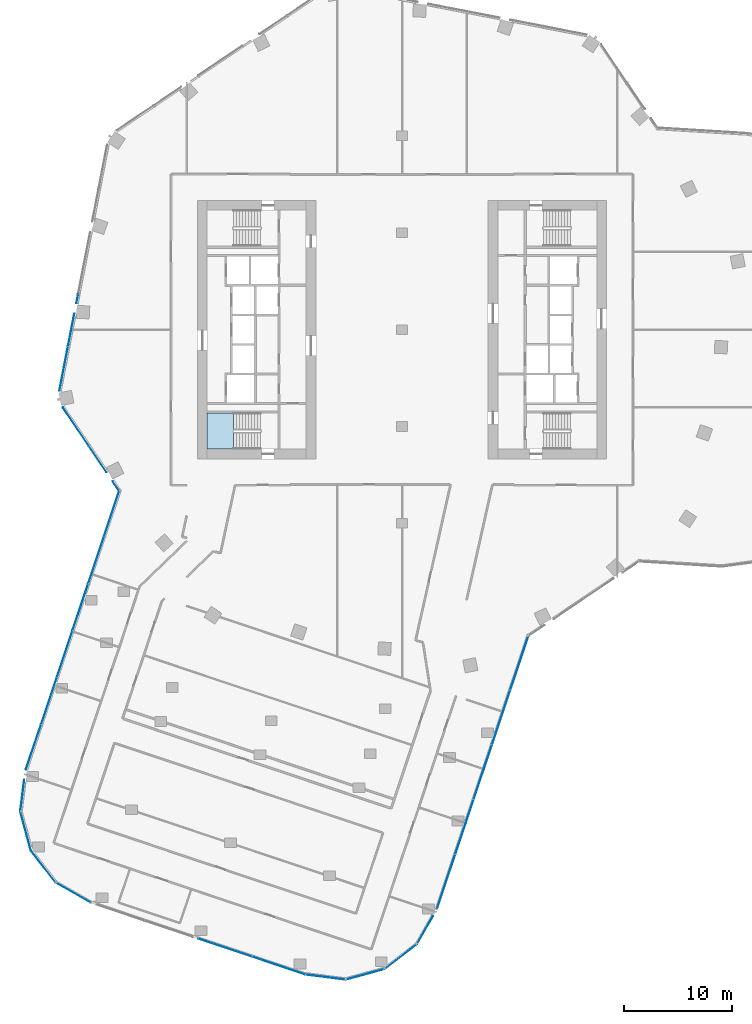
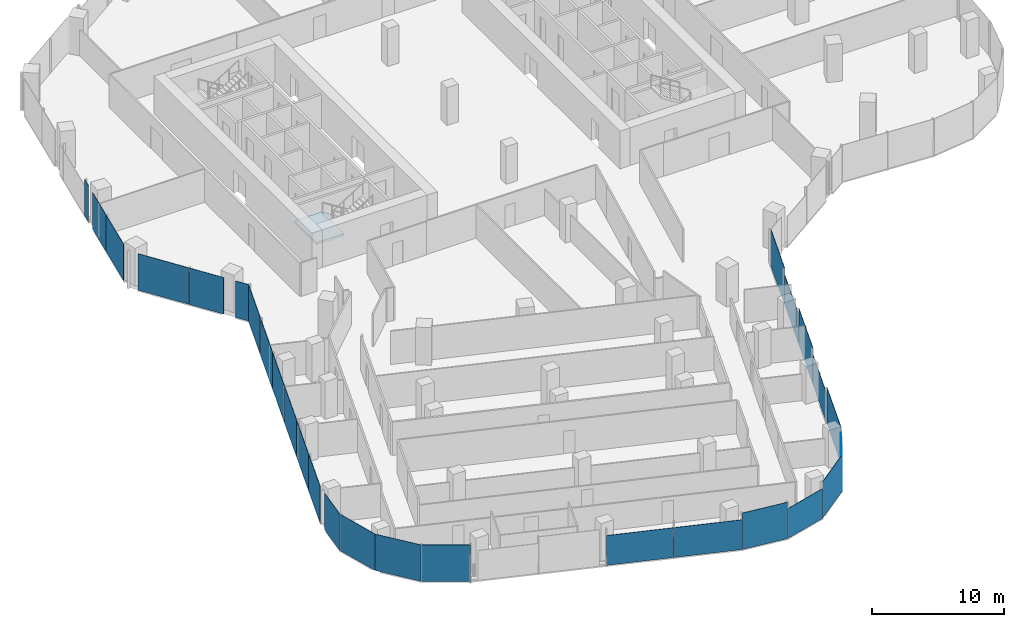
# One storey, part 15 of 25: 27 plates, 1 slab, 14 elements without a shape of their own.
"""IFC4 building model written with IfcOpenShell, lengths in metres."""

from ifc_helpers import new_model, si_unit, direction, frame, origin, origin_2d, place, context, subcontext, project, spatial, polyline, rectangle, outline, extrude, material, layer, layer_set, type_object, element, aggregate, save


model = new_model("IFC4")

# Units and contexts
model_context = context("Model", 3, precision=1e-05, world=origin(), true_north=direction((0.0, 1.0)))
body_context = subcontext(model_context, "Body", "Model", "MODEL_VIEW")
ifc_project = project(units=[si_unit("LENGTHUNIT", "METRE"), si_unit("AREAUNIT", "SQUARE_METRE"), si_unit("VOLUMEUNIT", "CUBIC_METRE"), si_unit("PLANEANGLEUNIT", "RADIAN"), si_unit("MASSUNIT", "GRAM", prefix="KILO")], contexts=[model_context])

# Site, building, storey
site_placement = place(None, origin())
site = spatial("IfcSite", under=ifc_project, at=site_placement, CompositionType="ELEMENT")
building_placement = place(site_placement, origin())
building = spatial("IfcBuilding", under=site, at=building_placement, Name="Orlundy Tower", CompositionType="ELEMENT")
storey_placement = place(building_placement, frame((0.0, 0.0, 159.60009765625)))
storey = spatial("IfcBuildingStorey", under=building, at=storey_placement, Name="L41", CompositionType="ELEMENT", Elevation=159.60009765625)

# Curtain wall, plates
ifc_material_1 = material(Name="Aluminium bronze anodised", Category="aluminium")
curtain_wall_type = type_object("IfcCurtainWallType", Name="CW1 wall", PredefinedType="NOTDEFINED", material=ifc_material_1)
curtain_wall_1_placement = place(storey_placement, origin())
curtain_wall_1 = element("IfcCurtainWall", 1, at=curtain_wall_1_placement, inside=storey, type_object=curtain_wall_type, Name="CW1 run 00", PredefinedType="NOTDEFINED")
ifc_material_2 = material(Name="Tinted glass", Category="glass")
ifc_layer_1 = layer(ifc_material_2, 0.031982421875)
ifc_layer_set_1 = layer_set([ifc_layer_1], Name="CW1 glass panel 32")
plate_type = type_object("IfcPlateType", Name="CW1 glass panel 32", PredefinedType="CURTAIN_PANEL", material=ifc_layer_set_1)
plate_1_placement = place(storey_placement, frame((-34.23779296875, -38.777587890625, -0.280029296875), z_axis=(0.0, 0.0, 1.0), x_axis=(0.317295386712, 0.948326756752, 0.0)))
plate_1 = element("IfcPlate", 2, at=plate_1_placement, type_object=plate_type, Name="CW1 panel", PredefinedType="CURTAIN_PANEL", context=body_context, shape_type="SweptSolid", body=[
    extrude(rectangle(XDim=4.402587890625, YDim=0.031982421875, at=origin_2d()), origin(), (0.0, 0.0, 1.0), 3.3798828125),
])
plate_2_placement = place(storey_placement, frame((-32.803466796875, -34.490478515625, -0.280029296875), z_axis=(0.0, 0.0, 1.0), x_axis=(0.317295386712, 0.948326756752, 0.0)))
plate_2 = element("IfcPlate", 3, at=plate_2_placement, type_object=plate_type, Name="CW1 panel", PredefinedType="CURTAIN_PANEL", context=body_context, shape_type="SweptSolid", body=[
    extrude(rectangle(XDim=4.538818359375, YDim=0.031982421875, at=origin_2d()), origin(), (0.0, 0.0, 1.0), 3.3798828125),
])
plate_3_placement = place(storey_placement, frame((-31.347412109375, -30.138916015625, -0.280029296875), z_axis=(0.0, 0.0, 1.0), x_axis=(0.317295386712, 0.948326756752, 0.0)))
plate_3 = element("IfcPlate", 4, at=plate_3_placement, type_object=plate_type, Name="CW1 panel", PredefinedType="CURTAIN_PANEL", context=body_context, shape_type="SweptSolid", body=[
    extrude(rectangle(XDim=4.538818359375, YDim=0.031982421875, at=origin_2d()), origin(), (0.0, 0.0, 1.0), 3.3798828125),
])
plate_4_placement = place(storey_placement, frame((-29.8916015625, -25.787109375, -0.280029296875), z_axis=(0.0, 0.0, 1.0), x_axis=(0.317295386712, 0.948326756752, 0.0)))
plate_4 = element("IfcPlate", 5, at=plate_4_placement, type_object=plate_type, Name="CW1 panel", PredefinedType="CURTAIN_PANEL", context=body_context, shape_type="SweptSolid", body=[
    extrude(rectangle(XDim=4.538818359375, YDim=0.031982421875, at=origin_2d()), origin(), (0.0, 0.0, 1.0), 3.3798828125),
])
plate_5_placement = place(storey_placement, frame((-28.435546875, -21.435546875, -0.280029296875), z_axis=(0.0, 0.0, 1.0), x_axis=(0.317295386712, 0.948326756752, 0.0)))
plate_5 = element("IfcPlate", 6, at=plate_5_placement, type_object=plate_type, Name="CW1 panel", PredefinedType="CURTAIN_PANEL", context=body_context, shape_type="SweptSolid", body=[
    extrude(rectangle(XDim=4.538818359375, YDim=0.031982421875, at=origin_2d()), origin(), (0.0, 0.0, 1.0), 3.3798828125),
])
plate_6_placement = place(storey_placement, frame((-26.98828125, -17.1103515625, -0.280029296875), z_axis=(0.0, 0.0, 1.0), x_axis=(0.317295386712, 0.948326756752, 0.0)))
plate_6 = element("IfcPlate", 7, at=plate_6_placement, type_object=plate_type, Name="CW1 panel", PredefinedType="CURTAIN_PANEL", context=body_context, shape_type="SweptSolid", body=[
    extrude(rectangle(XDim=4.48291015625, YDim=0.031982421875, at=origin_2d()), origin(), (0.0, 0.0, 1.0), 3.3798828125),
])
aggregate(curtain_wall_1, [plate_1, plate_2, plate_3, plate_4, plate_5, plate_6])

curtain_wall_2_placement = place(storey_placement, origin())
curtain_wall_2 = element("IfcCurtainWall", 8, at=curtain_wall_2_placement, inside=storey, type_object=curtain_wall_type, Name="CW1 run 01", PredefinedType="NOTDEFINED")
plate_7_placement = place(storey_placement, frame((-26.580810546875, -14.534423828125, -0.280029296875), z_axis=(0.0, 0.0, 1.0), x_axis=(-0.559201009656, 0.829032104807, 0.0)))
plate_7 = element("IfcPlate", 9, at=plate_7_placement, type_object=plate_type, Name="CW1 panel", PredefinedType="CURTAIN_PANEL", context=body_context, shape_type="SweptSolid", body=[
    extrude(rectangle(XDim=1.086181640625, YDim=0.031982421875, at=origin_2d()), origin(), (0.0, 0.0, 1.0), 3.3798828125),
])
plate_8_placement = place(storey_placement, frame((-28.267333984375, -12.0341796875, -0.280029296875), z_axis=(0.0, 0.0, 1.0), x_axis=(-0.559201009656, 0.829032104807, 0.0)))
plate_8 = element("IfcPlate", 10, at=plate_8_placement, type_object=plate_type, Name="CW1 panel", PredefinedType="CURTAIN_PANEL", context=body_context, shape_type="SweptSolid", body=[
    extrude(rectangle(XDim=2.906494140625, YDim=0.031982421875, at=origin_2d()), origin(), (0.0, 0.0, 1.0), 3.3798828125),
])
plate_9_placement = place(storey_placement, frame((-30.308837890625, -9.007568359375, -0.280029296875), z_axis=(0.0, 0.0, 1.0), x_axis=(-0.559201009656, 0.829032104807, 0.0)))
plate_9 = element("IfcPlate", 11, at=plate_9_placement, type_object=plate_type, Name="CW1 panel", PredefinedType="CURTAIN_PANEL", context=body_context, shape_type="SweptSolid", body=[
    extrude(rectangle(XDim=4.29541015625, YDim=0.031982421875, at=origin_2d()), origin(), (0.0, 0.0, 1.0), 3.3798828125),
])
aggregate(curtain_wall_2, [plate_7, plate_8, plate_9])

curtain_wall_3_placement = place(storey_placement, origin())
curtain_wall_3 = element("IfcCurtainWall", 12, at=curtain_wall_3_placement, inside=storey, type_object=curtain_wall_type, Name="CW1 run 02", PredefinedType="NOTDEFINED")
plate_10_placement = place(storey_placement, frame((-31.43310546875, -3.62353515625, -0.280029296875), z_axis=(0.0, 0.0, 1.0), x_axis=(0.19080503976, 0.981627952333, 0.0)))
plate_10 = element("IfcPlate", 13, at=plate_10_placement, type_object=plate_type, Name="CW1 panel", PredefinedType="CURTAIN_PANEL", context=body_context, shape_type="SweptSolid", body=[
    extrude(rectangle(XDim=4.147216796875, YDim=0.031982421875, at=origin_2d()), origin(), (0.0, 0.0, 1.0), 3.3798828125),
])
plate_11_placement = place(storey_placement, frame((-30.73583984375, -0.037109375, -0.280029296875), z_axis=(0.0, 0.0, 1.0), x_axis=(0.19080503976, 0.981627952333, 0.0)))
plate_11 = element("IfcPlate", 14, at=plate_11_placement, type_object=plate_type, Name="CW1 panel", PredefinedType="CURTAIN_PANEL", context=body_context, shape_type="SweptSolid", body=[
    extrude(rectangle(XDim=3.059814453125, YDim=0.031982421875, at=origin_2d()), origin(), (0.0, 0.0, 1.0), 3.3798828125),
])
plate_12_placement = place(storey_placement, frame((-30.169677734375, 2.87548828125, -0.280029296875), z_axis=(0.0, 0.0, 1.0), x_axis=(0.19080503976, 0.981627952333, 0.0)))
plate_12 = element("IfcPlate", 15, at=plate_12_placement, type_object=plate_type, Name="CW1 panel", PredefinedType="CURTAIN_PANEL", context=body_context, shape_type="SweptSolid", body=[
    extrude(rectangle(XDim=0.8466796875, YDim=0.031982421875, at=origin_2d()), origin(), (0.0, 0.0, 1.0), 3.3798828125),
])
aggregate(curtain_wall_3, [plate_10, plate_11, plate_12])

curtain_wall_4_placement = place(storey_placement, origin())
curtain_wall_4 = element("IfcCurtainWall", 16, at=curtain_wall_4_placement, inside=storey, type_object=curtain_wall_type, Name="CW1 run 018", PredefinedType="NOTDEFINED")
plate_13_placement = place(storey_placement, frame((10.90087890625, -30.968505859375, -0.280029296875), z_axis=(0.0, 0.0, 1.0), x_axis=(-0.317314020344, -0.948320522025, 0.0)))
plate_13 = element("IfcPlate", 17, at=plate_13_placement, type_object=plate_type, Name="CW1 panel", PredefinedType="CURTAIN_PANEL", context=body_context, shape_type="SweptSolid", body=[
    extrude(rectangle(XDim=5.276123046875, YDim=0.031982421875, at=origin_2d()), origin(), (0.0, 0.0, 1.0), 3.3798828125),
])
plate_14_placement = place(storey_placement, frame((9.205810546875, -36.033935546875, -0.2802734375), z_axis=(0.0, 0.0, 1.0), x_axis=(-0.317314020344, -0.948320522025, 0.0)))
plate_14 = element("IfcPlate", 18, at=plate_14_placement, type_object=plate_type, Name="CW1 panel", PredefinedType="CURTAIN_PANEL", context=body_context, shape_type="SweptSolid", body=[
    extrude(rectangle(XDim=5.306884765625, YDim=0.031982421875, at=origin_2d()), origin(), (0.0, 0.0, 1.0), 2.763916015625),
])
plate_15_placement = place(storey_placement, frame((7.506103515625, -41.114013671875, -0.280029296875), z_axis=(0.0, 0.0, 1.0), x_axis=(-0.317314020344, -0.948320522025, 0.0)))
plate_15 = element("IfcPlate", 19, at=plate_15_placement, type_object=plate_type, Name="CW1 panel", PredefinedType="CURTAIN_PANEL", context=body_context, shape_type="SweptSolid", body=[
    extrude(rectangle(XDim=5.306884765625, YDim=0.031982421875, at=origin_2d()), origin(), (0.0, 0.0, 1.0), 3.3798828125),
])
plate_16_placement = place(storey_placement, frame((5.80615234375, -46.194091796875, -0.2802734375), z_axis=(0.0, 0.0, 1.0), x_axis=(-0.317314020344, -0.948320522025, 0.0)))
plate_16 = element("IfcPlate", 20, at=plate_16_placement, type_object=plate_type, Name="CW1 panel", PredefinedType="CURTAIN_PANEL", context=body_context, shape_type="SweptSolid", body=[
    extrude(rectangle(XDim=5.306884765625, YDim=0.031982421875, at=origin_2d()), origin(), (0.0, 0.0, 1.0), 2.739990234375),
])
plate_17_placement = place(storey_placement, frame((4.10400390625, -51.28173828125, -0.280029296875), z_axis=(0.0, 0.0, 1.0), x_axis=(-0.317314020344, -0.948320522025, 0.0)))
plate_17 = element("IfcPlate", 21, at=plate_17_placement, type_object=plate_type, Name="CW1 panel", PredefinedType="CURTAIN_PANEL", context=body_context, shape_type="SweptSolid", body=[
    extrude(rectangle(XDim=5.32275390625, YDim=0.031982421875, at=origin_2d()), origin(), (0.0, 0.0, 1.0), 3.3798828125),
])
aggregate(curtain_wall_4, [plate_13, plate_14, plate_15, plate_16, plate_17])

# Curtain wall, plate
curtain_wall_5_placement = place(storey_placement, origin())
curtain_wall_5 = element("IfcCurtainWall", 22, at=curtain_wall_5_placement, inside=storey, type_object=curtain_wall_type, Name="CW1 run 019", PredefinedType="NOTDEFINED")
plate_18_placement = place(storey_placement, frame((2.135986328125, -55.78125, -0.280029296875), z_axis=(0.0, 0.0, 1.0), x_axis=(-0.496167993802, -0.868226538368, 0.0)))
plate_18 = element("IfcPlate", 23, at=plate_18_placement, type_object=plate_type, Name="CW1 panel", PredefinedType="CURTAIN_PANEL", context=body_context, shape_type="SweptSolid", body=[
    extrude(rectangle(XDim=3.013916015625, YDim=0.031982421875, at=origin_2d()), origin(), (0.0, 0.0, 1.0), 3.3798828125),
])
aggregate(curtain_wall_5, [plate_18])

curtain_wall_6_placement = place(storey_placement, origin())
curtain_wall_6 = element("IfcCurtainWall", 24, at=curtain_wall_6_placement, inside=storey, type_object=curtain_wall_type, Name="CW1 run 020", PredefinedType="NOTDEFINED")
plate_19_placement = place(storey_placement, frame((-0.10302734375, -58.24462890625, -0.280029296875), z_axis=(0.0, 0.0, 1.0), x_axis=(-0.790614183516, -0.61231463548, 0.0)))
plate_19 = element("IfcPlate", 25, at=plate_19_placement, type_object=plate_type, Name="CW1 panel", PredefinedType="CURTAIN_PANEL", context=body_context, shape_type="SweptSolid", body=[
    extrude(rectangle(XDim=3.7724609375, YDim=0.031982421875, at=origin_2d()), origin(), (0.0, 0.0, 1.0), 3.3798828125),
])
aggregate(curtain_wall_6, [plate_19])

curtain_wall_7_placement = place(storey_placement, origin())
curtain_wall_7 = element("IfcCurtainWall", 26, at=curtain_wall_7_placement, inside=storey, type_object=curtain_wall_type, Name="CW1 run 021", PredefinedType="NOTDEFINED")
plate_20_placement = place(storey_placement, frame((-3.413818359375, -59.895751953125, -0.2802734375), z_axis=(0.0, 0.0, 1.0), x_axis=(-0.964782496835, -0.263048919026, 0.0)))
plate_20 = element("IfcPlate", 27, at=plate_20_placement, type_object=plate_type, Name="CW1 panel", PredefinedType="CURTAIN_PANEL", context=body_context, shape_type="SweptSolid", body=[
    extrude(rectangle(XDim=3.771728515625, YDim=0.031982421875, at=origin_2d()), origin(), (0.0, 0.0, 1.0), 2.763916015625),
])
aggregate(curtain_wall_7, [plate_20])

curtain_wall_8_placement = place(storey_placement, origin())
curtain_wall_8 = element("IfcCurtainWall", 28, at=curtain_wall_8_placement, inside=storey, type_object=curtain_wall_type, Name="CW1 run 022", PredefinedType="NOTDEFINED")
plate_21_placement = place(storey_placement, frame((-7.08349609375, -60.15625, -0.280029296875), z_axis=(0.0, 0.0, 1.0), x_axis=(-0.99199729737, 0.126259106648, 0.0)))
plate_21 = element("IfcPlate", 29, at=plate_21_placement, type_object=plate_type, Name="CW1 panel", PredefinedType="CURTAIN_PANEL", context=body_context, shape_type="SweptSolid", body=[
    extrude(rectangle(XDim=3.730224609375, YDim=0.031982421875, at=origin_2d()), origin(), (0.0, 0.0, 1.0), 3.3798828125),
])
aggregate(curtain_wall_8, [plate_21])

# Curtain wall, plates
curtain_wall_9_placement = place(storey_placement, origin())
curtain_wall_9 = element("IfcCurtainWall", 30, at=curtain_wall_9_placement, inside=storey, type_object=curtain_wall_type, Name="CW1 run 023", PredefinedType="NOTDEFINED")
plate_22_placement = place(storey_placement, frame((-11.455810546875, -59.082275390625, -0.2802734375), z_axis=(0.0, 0.0, 1.0), x_axis=(-0.948330329219, 0.317284709186, 0.0)))
plate_22 = element("IfcPlate", 31, at=plate_22_placement, type_object=plate_type, Name="CW1 panel", PredefinedType="CURTAIN_PANEL", context=body_context, shape_type="SweptSolid", body=[
    extrude(rectangle(XDim=5.216064453125, YDim=0.031982421875, at=origin_2d()), origin(), (0.0, 0.0, 1.0), 2.763916015625),
])
plate_23_placement = place(storey_placement, frame((-16.442138671875, -57.413818359375, -0.2802734375), z_axis=(0.0, 0.0, 1.0), x_axis=(-0.948330329219, 0.317284709186, 0.0)))
plate_23 = element("IfcPlate", 32, at=plate_23_placement, type_object=plate_type, Name="CW1 panel", PredefinedType="CURTAIN_PANEL", context=body_context, shape_type="SweptSolid", body=[
    extrude(rectangle(XDim=5.199951171875, YDim=0.031982421875, at=origin_2d()), origin(), (0.0, 0.0, 1.0), 2.763916015625),
])
aggregate(curtain_wall_9, [plate_22, plate_23])

# Curtain wall, plate
curtain_wall_10_placement = place(storey_placement, origin())
curtain_wall_10 = element("IfcCurtainWall", 33, at=curtain_wall_10_placement, inside=storey, type_object=curtain_wall_type, Name="CW1 run 024", PredefinedType="NOTDEFINED")
plate_24_placement = place(storey_placement, frame((-30.54541015625, -52.30615234375, -0.280029296875), z_axis=(0.0, 0.0, 1.0), x_axis=(-0.868110302636, 0.496371335249, 0.0)))
plate_24 = element("IfcPlate", 34, at=plate_24_placement, type_object=plate_type, Name="CW1 panel", PredefinedType="CURTAIN_PANEL", context=body_context, shape_type="SweptSolid", body=[
    extrude(rectangle(XDim=3.73046875, YDim=0.031982421875, at=origin_2d()), origin(), (0.0, 0.0, 1.0), 3.3798828125),
])
aggregate(curtain_wall_10, [plate_24])

curtain_wall_11_placement = place(storey_placement, origin())
curtain_wall_11 = element("IfcCurtainWall", 35, at=curtain_wall_11_placement, inside=storey, type_object=curtain_wall_type, Name="CW1 run 025", PredefinedType="NOTDEFINED")
plate_25_placement = place(storey_placement, frame((-33.319580078125, -49.888916015625, -0.280029296875), z_axis=(0.0, 0.0, 1.0), x_axis=(-0.61231463548, 0.790614183516, 0.0)))
plate_25 = element("IfcPlate", 36, at=plate_25_placement, type_object=plate_type, Name="CW1 panel", PredefinedType="CURTAIN_PANEL", context=body_context, shape_type="SweptSolid", body=[
    extrude(rectangle(XDim=3.7724609375, YDim=0.031982421875, at=origin_2d()), origin(), (0.0, 0.0, 1.0), 3.3798828125),
])
aggregate(curtain_wall_11, [plate_25])

curtain_wall_12_placement = place(storey_placement, origin())
curtain_wall_12 = element("IfcCurtainWall", 37, at=curtain_wall_12_placement, inside=storey, type_object=curtain_wall_type, Name="CW1 run 026", PredefinedType="NOTDEFINED")
plate_26_placement = place(storey_placement, frame((-34.97021484375, -46.578125, -0.280029296875), z_axis=(0.0, 0.0, 1.0), x_axis=(-0.262797766834, 0.964850938616, 0.0)))
plate_26 = element("IfcPlate", 38, at=plate_26_placement, type_object=plate_type, Name="CW1 panel", PredefinedType="CURTAIN_PANEL", context=body_context, shape_type="SweptSolid", body=[
    extrude(rectangle(XDim=3.771484375, YDim=0.031982421875, at=origin_2d()), origin(), (0.0, 0.0, 1.0), 3.3798828125),
])
aggregate(curtain_wall_12, [plate_26])

curtain_wall_13_placement = place(storey_placement, origin())
curtain_wall_13 = element("IfcCurtainWall", 39, at=curtain_wall_13_placement, inside=storey, type_object=curtain_wall_type, Name="CW1 run 027", PredefinedType="NOTDEFINED")
plate_27_placement = place(storey_placement, frame((-35.27978515625, -43.294921875, -0.280029296875), z_axis=(0.0, 0.0, 1.0), x_axis=(0.125993609416, 0.992031053136, 0.0)))
plate_27 = element("IfcPlate", 40, at=plate_27_placement, type_object=plate_type, Name="CW1 panel", PredefinedType="CURTAIN_PANEL", context=body_context, shape_type="SweptSolid", body=[
    extrude(rectangle(XDim=2.950927734375, YDim=0.031982421875, at=origin_2d()), origin(), (0.0, 0.0, 1.0), 3.3798828125),
])
aggregate(curtain_wall_13, [plate_27])

# Stair, slab
ifc_material_3 = material(Name="Concrete C50/60", Category="concrete")
stair_type = type_object("IfcStairType", Name="Exit Stair 20 risers", PredefinedType="HALF_TURN_STAIR", material=ifc_material_3)
stair_placement = place(storey_placement, origin())
stair = element("IfcStair", 41, at=stair_placement, inside=storey, type_object=stair_type, Name="L41 Exit Stair ST-W2", PredefinedType="HALF_TURN_STAIR")
ifc_material_4 = material(Name="Concrete C50/60", Category="concrete")
ifc_layer_2 = layer(ifc_material_4, 0.199951171875)
ifc_layer_set_2 = layer_set([ifc_layer_2], Name="Exit Stair Landing")
slab_type = type_object("IfcSlabType", Name="Exit Stair Landing", PredefinedType="LANDING", material=ifc_layer_set_2)
slab_placement = place(storey_placement, frame((0.0, 0.0, 1.5498046875)))
slab = element("IfcSlab", 42, at=slab_placement, type_object=slab_type, Name="ST-W2 landing 1", PredefinedType="LANDING", context=body_context, shape_type="SweptSolid", body=[
    extrude(outline(polyline([(-15.659912109375, -7.75), (-18.10009765625, -7.75), (-18.10009765625, -11.10009765625), (-15.659912109375, -11.10009765625), (-15.659912109375, -7.75)])), origin(), (0.0, 0.0, 1.0), 0.2001953125),
])
aggregate(stair, [slab])

save(model, "model.ifc")
